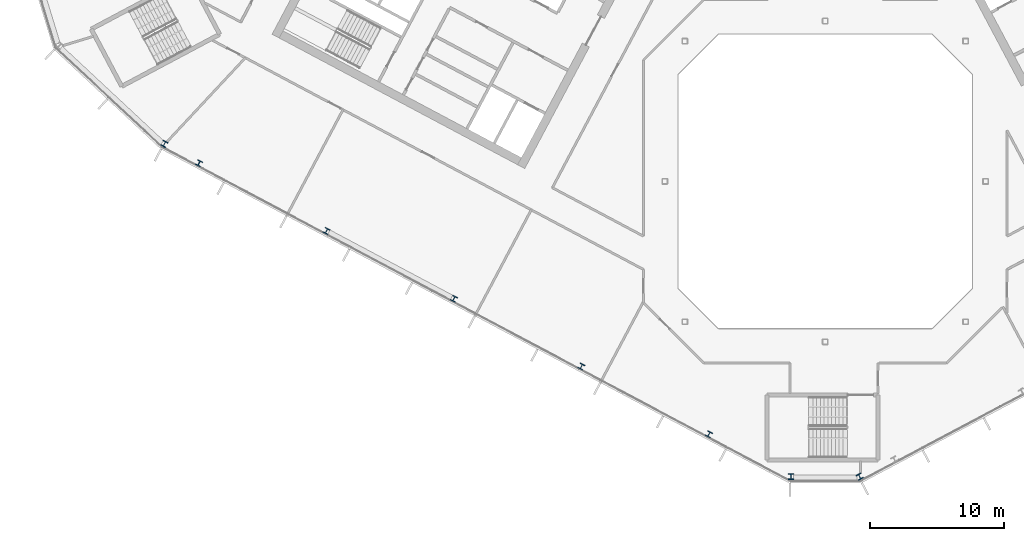
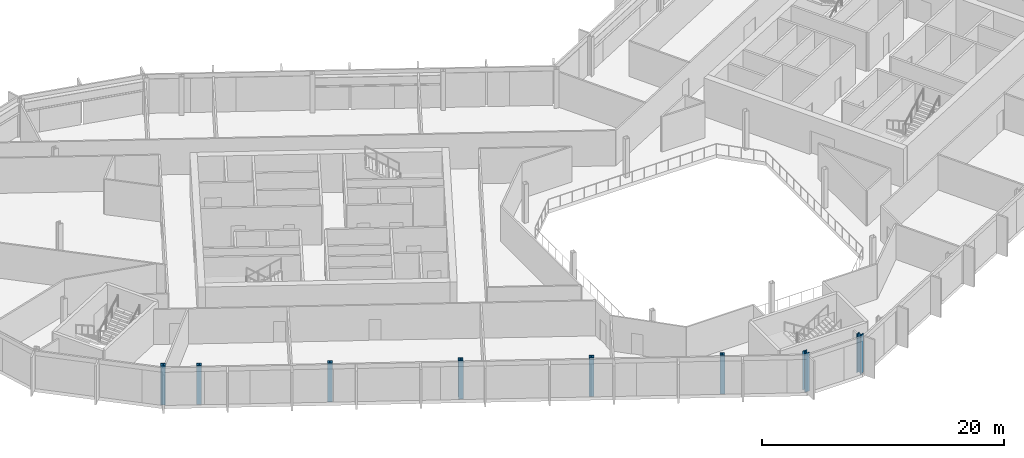
# One storey, part 1 of 27: 8 columns.
"""IFC4 building model written with IfcOpenShell, lengths in metres."""

from ifc_helpers import new_model, si_unit, direction, frame, origin, origin_2d, place, context, subcontext, project, spatial, i_section, extrude, material, material_profile, profile_set, type_object, element, save


model = new_model("IFC4")

# Units and contexts
model_context = context("Model", 3, precision=1e-05, world=origin(), true_north=direction((0.0, 1.0)))
body_context = subcontext(model_context, "Body", "Model", "MODEL_VIEW")
ifc_project = project(units=[si_unit("LENGTHUNIT", "METRE"), si_unit("AREAUNIT", "SQUARE_METRE"), si_unit("VOLUMEUNIT", "CUBIC_METRE"), si_unit("PLANEANGLEUNIT", "RADIAN"), si_unit("MASSUNIT", "GRAM", prefix="KILO")], contexts=[model_context])

# Site, building, storey
site_placement = place(None, origin())
site = spatial("IfcSite", under=ifc_project, at=site_placement, CompositionType="ELEMENT")
building_placement = place(site_placement, origin())
building = spatial("IfcBuilding", under=site, at=building_placement, Name="Cormorant Relay Tower", CompositionType="ELEMENT")
storey_placement = place(building_placement, frame((0.0, 0.0, 232.5)))
storey = spatial("IfcBuildingStorey", under=building, at=storey_placement, Name="L51", CompositionType="ELEMENT", Elevation=232.5)

# Columns
ifc_material_1 = material(Name="Steel ASTM A992 (Fy 345 MPa)", Category="steel")
ifc_material_profile_1 = material_profile(ifc_material_1, i_section(OverallWidth=0.40380859375, OverallDepth=0.406494140625, WebThickness=0.027099609375, FlangeThickness=0.043701171875, FilletRadius=0.01513671875, at=origin_2d()), Name="W360x347")
ifc_profile_set_1 = profile_set([ifc_material_profile_1], Name="Steel ASTM A992 (Fy 345 MPa)")
column_type_1 = type_object("IfcColumnType", Name="Column W360x347", PredefinedType="COLUMN", material=ifc_profile_set_1)
for number, where, z_axis, x_axis, name in (
    (1, (-8.700927734375, -18.919921875, 0.0), (0.0, 0.0, 1.0), (0.882947592859, -0.469471562786, 0.0), "Column L51-004"),
    (2, (-18.237060546875, -13.85009765625, 0.0), (0.0, 0.0, 1.0), (0.882947592859, -0.469471562786, 0.0), "Column L51-006"),
    (3, (-27.77197265625, -8.779052734375, 0.0), (0.0, 0.0, 1.0), (0.882947592859, -0.469471562786, 0.0), "Column L51-011"),
    (4, (-37.30810546875, -3.708984375, 0.0), (0.0, 0.0, 1.0), (0.882947592859, -0.469471562786, 0.0), "Column L51-013"),
    (5, (-46.843994140625, 1.361083984375, 0.0), (0.0, 0.0, 1.0), (0.882947592859, -0.469471562786, 0.0), "Column L51-017"),
):
    element("IfcColumn", number, at=place(storey_placement, frame(where, z_axis=z_axis, x_axis=x_axis)), inside=storey, type_object=column_type_1, Name=name, PredefinedType="COLUMN", context=body_context, shape_type="SweptSolid", body=[
        extrude(i_section(OverallWidth=0.40380859375, OverallDepth=0.406494140625, WebThickness=0.027099609375, FlangeThickness=0.043701171875, FilletRadius=0.01513671875, at=origin_2d()), origin(), (0.0, 0.0, 1.0), 3.89990234375),
    ])
ifc_material_2 = material(Name="Steel ASTM A992 (Fy 345 MPa)", Category="steel")
ifc_material_profile_2 = material_profile(ifc_material_2, i_section(OverallWidth=0.41162109375, OverallDepth=0.434326171875, WebThickness=0.035888671875, FlangeThickness=0.057373046875, FilletRadius=0.01513671875, at=origin_2d()), Name="W360x463")
ifc_profile_set_2 = profile_set([ifc_material_profile_2], Name="Steel ASTM A992 (Fy 345 MPa)")
column_type_2 = type_object("IfcColumnType", Name="Column W360x463", PredefinedType="COLUMN", material=ifc_profile_set_2)
for number, where, z_axis, x_axis, name in (
    (6, (-2.575927734375, -22.083984375, 0.0), (0.0, 0.0, 1.0), (1.0, 0.0, 0.0), "Column L51-001"),
    (7, (2.575927734375, -22.083984375, 0.0), (0.0, 0.0, 1.0), (0.882947592859, 0.469471562786, 0.0), "Column L51-002"),
    (8, (-49.43505859375, 2.803955078125, 0.0), (0.0, 0.0, 1.0), (0.882947592859, -0.469471562786, 0.0), "Column L51-018"),
):
    element("IfcColumn", number, at=place(storey_placement, frame(where, z_axis=z_axis, x_axis=x_axis)), inside=storey, type_object=column_type_2, Name=name, PredefinedType="COLUMN", context=body_context, shape_type="SweptSolid", body=[
        extrude(i_section(OverallWidth=0.41162109375, OverallDepth=0.434326171875, WebThickness=0.035888671875, FlangeThickness=0.057373046875, FilletRadius=0.01513671875, at=origin_2d()), origin(), (0.0, 0.0, 1.0), 3.89990234375),
    ])

save(model, "model.ifc")
